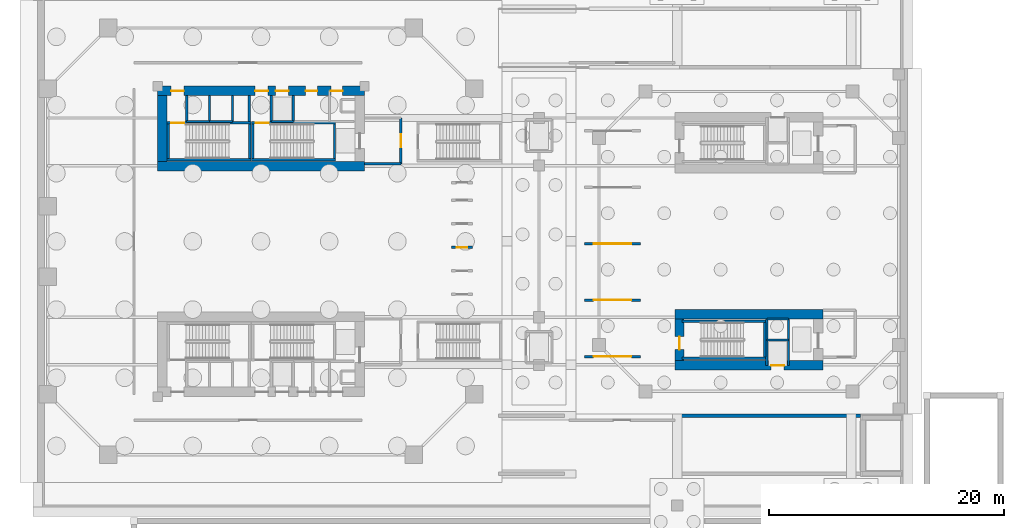
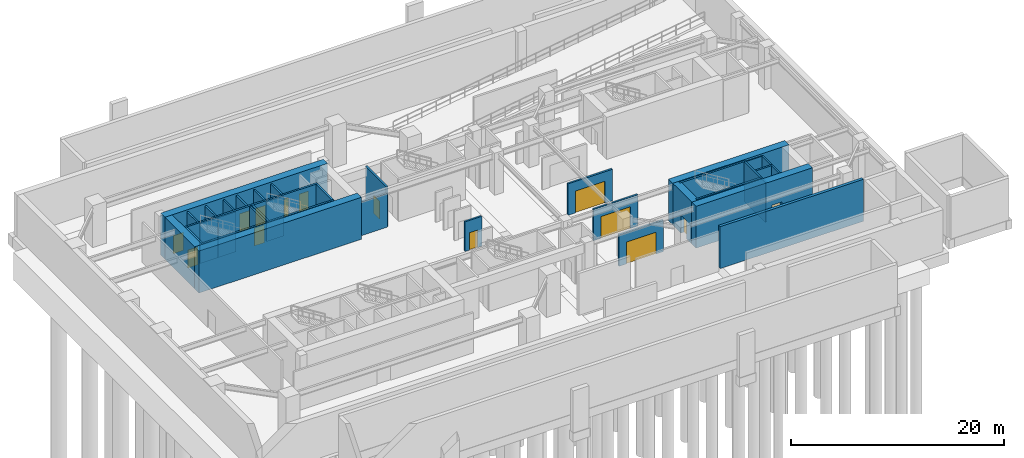
# One storey, part 6 of 13: 37 walls, 14 doors, 14 openings.
"""IFC4 building model written with IfcOpenShell, lengths in metres."""

from ifc_helpers import new_model, si_unit, direction, frame, frame_2d, origin, place, context, subcontext, project, spatial, rectangle, extrude, source, transform, mapped, material, layer, layer_set, type_object, element, fill, save


model = new_model("IFC4")

# Units and contexts
model_context = context("Model", 3, precision=1e-05, world=origin(), true_north=direction((0.0, 1.0)))
body_context = subcontext(model_context, "Body", "Model", "MODEL_VIEW")
ifc_project = project(units=[si_unit("LENGTHUNIT", "METRE"), si_unit("AREAUNIT", "SQUARE_METRE"), si_unit("VOLUMEUNIT", "CUBIC_METRE"), si_unit("PLANEANGLEUNIT", "RADIAN"), si_unit("MASSUNIT", "GRAM", prefix="KILO"), si_unit("THERMODYNAMICTEMPERATUREUNIT", "KELVIN"), si_unit("POWERUNIT", "WATT")], contexts=[model_context])

# Site, building, storey
site_placement = place(None, origin())
site = spatial("IfcSite", under=ifc_project, at=site_placement, CompositionType="ELEMENT")
building_placement = place(site_placement, origin())
building = spatial("IfcBuilding", under=site, at=building_placement, Name="Qiaomeng Ring Towers", CompositionType="ELEMENT")
storey_placement = place(building_placement, frame((0.0, 0.0, -9.60009765625)))
storey = spatial("IfcBuildingStorey", under=building, at=storey_placement, Name="B2", CompositionType="ELEMENT", Elevation=-9.60009765625)

# Wall
ifc_material_1 = material(Name="Autoclaved aerated concrete block", Category="concrete")
ifc_layer_1 = layer(ifc_material_1, 0.199951171875, Name="Autoclaved aerated concrete block")
ifc_layer_set_1 = layer_set([ifc_layer_1], Name="Autoclaved aerated concrete block")
wall_type_1 = type_object("IfcWallType", Name="ARC-WL-PW1", PredefinedType="PARTITIONING", material=ifc_layer_set_1)
wall_1_placement = place(storey_placement, frame((27.800048828125, 29.60009765625, 0.0), z_axis=(0.0, 0.0, 1.0), x_axis=(1.0, 0.0, 0.0)))
element("IfcWall", 1, at=wall_1_placement, inside=storey, type_object=wall_type_1, Name="B2 Interior Wall PW1", PredefinedType="PARTITIONING", context=body_context, shape_type="SweptSolid", body=[
    extrude(rectangle(XDim=3.099853515625, YDim=0.199951171875, at=frame_2d((1.5498046875, 0.0))), origin(), (0.0, 0.0, 1.0), 3.875),
])

# Wall, opening, door
wall_2_placement = place(storey_placement, frame((30.89990234375, 29.60009765625, 0.0), z_axis=(0.0, 0.0, 1.0), x_axis=(0.0, 1.0, 0.0)))
wall_2 = element("IfcWall", 2, at=wall_2_placement, inside=storey, type_object=wall_type_1, Name="B2 Interior Wall PW1", PredefinedType="PARTITIONING", context=body_context, shape_type="SweptSolid", body=[
    extrude(rectangle(XDim=3.89990234375, YDim=0.199951171875, at=frame_2d((1.949951171875, 0.0))), origin(), (0.0, 0.0, 1.0), 4.580078125),
])
opening_1_placement = place(wall_2_placement, frame((1.39990234375, 0.0, 0.0)))
opening_1 = element("IfcOpeningElement", 3, at=opening_1_placement, cuts=wall_2, Name="Opening FD3", PredefinedType="OPENING", context=body_context, shape_type="SweptSolid", body=[
    extrude(rectangle(XDim=1.10009765625, YDim=2.050048828125, at=frame_2d((0.550048828125, 1.02490234375))), frame((0.0, 0.10986328125, 0.0), z_axis=(0.0, -1.0, 0.0), x_axis=(1.0, 0.0, 0.0)), (0.0, 0.0, 1.0), 0.219970703125),
])
ifc_material_2 = material(Name="Galvanised steel", Category="steel")
door_type_1 = type_object("IfcDoorType", Name="ARC-DR-FD3", OperationType="NOTDEFINED", PredefinedType="DOOR", material=ifc_material_2)
shared_shape_1 = source(origin(), body_context, "Body", "SweptSolid", [
    extrude(rectangle(XDim=1.10009765625, YDim=2.050048828125, at=frame_2d((0.550048828125, 1.02490234375))), frame((0.0, 0.02490234375, 0.0), z_axis=(0.0, -1.0, 0.0), x_axis=(1.0, 0.0, 0.0)), (0.0, 0.0, 1.0), 0.050048828125),
])
door_1_placement = place(opening_1_placement, origin())
door_1 = element("IfcDoor", 4, at=door_1_placement, inside=storey, type_object=door_type_1, Name="B2 North FF Lobby Door", OperationType="SINGLE_SWING_LEFT", OverallHeight=2.050048828125, OverallWidth=1.10009765625, PredefinedType="DOOR", context=body_context, shape_type="MappedRepresentation", body=[
    mapped(shared_shape_1, transform((0.0, 0.0, 0.0), x_axis=(1.0, 0.0, 0.0), y_axis=(0.0, 1.0, 0.0), z_axis=(0.0, 0.0, 1.0), scale=1.0)),
])
fill(opening_1, door_1)

# Walls
for number, where, z_axis, x_axis, name in (
    (5, (12.679931640625, 33.18994140625, 0.0), (0.0, 0.0, 1.0), (0.0, 1.0, 0.0), "B2 Interior Wall PW1"),
    (6, (18.0, 33.18994140625, 0.0), (0.0, 0.0, 1.0), (0.0, 1.0, 0.0), "B2 Interior Wall PW1"),
    (7, (19.8798828125, 33.18994140625, 0.0), (0.0, 0.0, 1.0), (0.0, 1.0, 0.0), "B2 Interior Wall PW1"),
):
    element("IfcWall", number, at=place(storey_placement, frame(where, z_axis=z_axis, x_axis=x_axis)), inside=storey, type_object=wall_type_1, Name=name, PredefinedType="PARTITIONING", context=body_context, shape_type="SweptSolid", body=[
        extrude(rectangle(XDim=2.2099609375, YDim=0.199951171875, at=frame_2d((1.10498046875, 0.0))), origin(), (0.0, 0.0, 1.0), 4.580078125),
    ])
wall_3_placement = place(storey_placement, frame((21.75, 33.199951171875, 0.0), z_axis=(0.0, 0.0, 1.0), x_axis=(0.0, 1.0, 0.0)))
element("IfcWall", 8, at=wall_3_placement, inside=storey, type_object=wall_type_1, Name="B2 Interior Wall PW1", PredefinedType="PARTITIONING", context=body_context, shape_type="SweptSolid", body=[
    extrude(rectangle(XDim=2.199951171875, YDim=0.199951171875, at=frame_2d((1.10009765625, 0.0))), origin(), (0.0, 0.0, 1.0), 4.580078125),
])

# Wall, opening, door
wall_4_placement = place(storey_placement, frame((46.5, 18.0, 0.0), z_axis=(0.0, 0.0, 1.0), x_axis=(1.0, 0.0, 0.0)))
wall_4 = element("IfcWall", 9, at=wall_4_placement, inside=storey, type_object=wall_type_1, Name="B2 Plant Equipment Bay Wall 1", PredefinedType="PARTITIONING", context=body_context, shape_type="SweptSolid", body=[
    extrude(rectangle(XDim=4.800048828125, YDim=0.199951171875, at=frame_2d((2.39990234375, 0.0))), origin(), (0.0, 0.0, 1.0), 3.60009765625),
])
opening_2_placement = place(wall_4_placement, frame((0.800048828125, 0.0, 0.0)))
opening_2 = element("IfcOpeningElement", 10, at=opening_2_placement, cuts=wall_4, Name="Opening SH2", PredefinedType="OPENING", context=body_context, shape_type="SweptSolid", body=[
    extrude(rectangle(XDim=3.199951171875, YDim=2.5, at=frame_2d((1.60009765625, 1.25))), frame((0.0, 0.10986328125, 0.0), z_axis=(0.0, -1.0, 0.0), x_axis=(1.0, 0.0, 0.0)), (0.0, 0.0, 1.0), 0.219970703125),
])
door_type_2 = type_object("IfcDoorType", Name="ARC-DR-SH2", OperationType="NOTDEFINED", PredefinedType="GATE", material=ifc_material_2)
shared_shape_2 = source(origin(), body_context, "Body", "SweptSolid", [
    extrude(rectangle(XDim=3.199951171875, YDim=2.5, at=frame_2d((1.60009765625, 1.25))), frame((0.0, 0.02490234375, 0.0), z_axis=(0.0, -1.0, 0.0), x_axis=(1.0, 0.0, 0.0)), (0.0, 0.0, 1.0), 0.050048828125),
])
door_2_placement = place(opening_2_placement, origin())
door_2 = element("IfcDoor", 11, at=door_2_placement, inside=storey, type_object=door_type_2, Name="B2 Service Roller Shutter SH2-1", OperationType="ROLLINGUP", OverallHeight=2.5, OverallWidth=3.199951171875, PredefinedType="GATE", context=body_context, shape_type="MappedRepresentation", body=[
    mapped(shared_shape_2, transform((0.0, 0.0, 0.0), x_axis=(1.0, 0.0, 0.0), y_axis=(0.0, 1.0, 0.0), z_axis=(0.0, 0.0, 1.0), scale=1.0)),
])
fill(opening_2, door_2)

wall_5_placement = place(storey_placement, frame((46.5, 22.800048828125, 0.0), z_axis=(0.0, 0.0, 1.0), x_axis=(1.0, 0.0, 0.0)))
wall_5 = element("IfcWall", 12, at=wall_5_placement, inside=storey, type_object=wall_type_1, Name="B2 Plant Equipment Bay Wall 2", PredefinedType="PARTITIONING", context=body_context, shape_type="SweptSolid", body=[
    extrude(rectangle(XDim=4.800048828125, YDim=0.199951171875, at=frame_2d((2.39990234375, 0.0))), origin(), (0.0, 0.0, 1.0), 3.60009765625),
])
opening_3_placement = place(wall_5_placement, frame((0.800048828125, 0.0, 0.0)))
opening_3 = element("IfcOpeningElement", 13, at=opening_3_placement, cuts=wall_5, Name="Opening SH2", PredefinedType="OPENING", context=body_context, shape_type="SweptSolid", body=[
    extrude(rectangle(XDim=3.199951171875, YDim=2.5, at=frame_2d((1.60009765625, 1.25))), frame((0.0, 0.10986328125, 0.0), z_axis=(0.0, -1.0, 0.0), x_axis=(1.0, 0.0, 0.0)), (0.0, 0.0, 1.0), 0.219970703125),
])
door_3_placement = place(opening_3_placement, origin())
door_3 = element("IfcDoor", 14, at=door_3_placement, inside=storey, type_object=door_type_2, Name="B2 Service Roller Shutter SH2-2", OperationType="ROLLINGUP", OverallHeight=2.5, OverallWidth=3.199951171875, PredefinedType="GATE", context=body_context, shape_type="MappedRepresentation", body=[
    mapped(shared_shape_2, transform((0.0, 0.0, 0.0), x_axis=(1.0, 0.0, 0.0), y_axis=(0.0, 1.0, 0.0), z_axis=(0.0, 0.0, 1.0), scale=1.0)),
])
fill(opening_3, door_3)

wall_6_placement = place(storey_placement, frame((46.5, 13.199951171875, 0.0), z_axis=(0.0, 0.0, 1.0), x_axis=(1.0, 0.0, 0.0)))
wall_6 = element("IfcWall", 15, at=wall_6_placement, inside=storey, type_object=wall_type_1, Name="B2 Plant Equipment Bay Wall 5", PredefinedType="PARTITIONING", context=body_context, shape_type="SweptSolid", body=[
    extrude(rectangle(XDim=4.800048828125, YDim=0.199951171875, at=frame_2d((2.39990234375, 0.0))), origin(), (0.0, 0.0, 1.0), 3.60009765625),
])
opening_4_placement = place(wall_6_placement, frame((0.800048828125, 0.0, 0.0)))
opening_4 = element("IfcOpeningElement", 16, at=opening_4_placement, cuts=wall_6, Name="Opening SH2", PredefinedType="OPENING", context=body_context, shape_type="SweptSolid", body=[
    extrude(rectangle(XDim=3.199951171875, YDim=2.5, at=frame_2d((1.60009765625, 1.25))), frame((0.0, 0.10986328125, 0.0), z_axis=(0.0, -1.0, 0.0), x_axis=(1.0, 0.0, 0.0)), (0.0, 0.0, 1.0), 0.219970703125),
])
door_4_placement = place(opening_4_placement, origin())
door_4 = element("IfcDoor", 17, at=door_4_placement, inside=storey, type_object=door_type_2, Name="B2 Service Roller Shutter SH2-5", OperationType="ROLLINGUP", OverallHeight=2.5, OverallWidth=3.199951171875, PredefinedType="GATE", context=body_context, shape_type="MappedRepresentation", body=[
    mapped(shared_shape_2, transform((0.0, 0.0, 0.0), x_axis=(1.0, 0.0, 0.0), y_axis=(0.0, 1.0, 0.0), z_axis=(0.0, 0.0, 1.0), scale=1.0)),
])
fill(opening_4, door_4)

wall_7_placement = place(storey_placement, frame((35.199951171875, 22.5, 0.0), z_axis=(0.0, 0.0, 1.0), x_axis=(1.0, 0.0, 0.0)))
wall_7 = element("IfcWall", 18, at=wall_7_placement, inside=storey, type_object=wall_type_1, Name="B2 Pipe Trench Access Wall 3", PredefinedType="PARTITIONING", context=body_context, shape_type="SweptSolid", body=[
    extrude(rectangle(XDim=1.800048828125, YDim=0.199951171875, at=frame_2d((0.89990234375, 0.0))), origin(), (0.0, 0.0, 1.0), 3.400146484375),
])
opening_5_placement = place(wall_7_placement, frame((0.449951171875, 0.0, 0.0)))
opening_5 = element("IfcOpeningElement", 19, at=opening_5_placement, cuts=wall_7, Name="Opening TD1", PredefinedType="OPENING", context=body_context, shape_type="SweptSolid", body=[
    extrude(rectangle(XDim=0.89990234375, YDim=2.0, at=frame_2d((0.449951171875, 1.0))), frame((0.0, 0.10986328125, 0.0), z_axis=(0.0, -1.0, 0.0), x_axis=(1.0, 0.0, 0.0)), (0.0, 0.0, 1.0), 0.219970703125),
])
door_type_3 = type_object("IfcDoorType", Name="ARC-DR-TD1", OperationType="NOTDEFINED", PredefinedType="TRAPDOOR", material=ifc_material_2)
shared_shape_3 = source(origin(), body_context, "Body", "SweptSolid", [
    extrude(rectangle(XDim=0.89990234375, YDim=2.0, at=frame_2d((0.449951171875, 1.0))), frame((0.0, 0.02490234375, 0.0), z_axis=(0.0, -1.0, 0.0), x_axis=(1.0, 0.0, 0.0)), (0.0, 0.0, 1.0), 0.050048828125),
])
door_5_placement = place(opening_5_placement, origin())
door_5 = element("IfcDoor", 20, at=door_5_placement, inside=storey, type_object=door_type_3, Name="B2 Riser Access Trapdoor TD1-3", OperationType="SINGLE_SWING_LEFT", OverallHeight=2.0, OverallWidth=0.89990234375, PredefinedType="TRAPDOOR", context=body_context, shape_type="MappedRepresentation", body=[
    mapped(shared_shape_3, transform((0.0, 0.0, 0.0), x_axis=(1.0, 0.0, 0.0), y_axis=(0.0, 1.0, 0.0), z_axis=(0.0, 0.0, 1.0), scale=1.0)),
])
fill(opening_5, door_5)

# Walls
ifc_material_3 = material(Name="Concrete C40", Category="concrete")
ifc_layer_2 = layer(ifc_material_3, 0.39990234375, Name="Concrete C40")
ifc_layer_set_2 = layer_set([ifc_layer_2], Name="Concrete C40")
wall_type_2 = type_object("IfcWallType", Name="STR-WL-BW2", PredefinedType="SOLIDWALL", material=ifc_layer_set_2)
wall_8_placement = place(storey_placement, frame((54.5, 8.179931640625, 0.0), z_axis=(0.0, 0.0, 1.0), x_axis=(1.0, 0.0, 0.0)))
element("IfcWall", 21, at=wall_8_placement, inside=storey, type_object=wall_type_2, Name="B2 Vehicle Ramp R1 East Support Wall N", PredefinedType="SOLIDWALL", context=body_context, shape_type="SweptSolid", body=[
    extrude(rectangle(XDim=15.5, YDim=0.300048828125, at=frame_2d((7.75, 0.0))), origin(), (0.0, 0.0, 1.0), 4.800048828125),
])
ifc_layer_3 = layer(ifc_material_3, 0.199951171875, Name="Concrete C40")
ifc_layer_set_3 = layer_set([ifc_layer_3], Name="Concrete C40")
wall_type_3 = type_object("IfcWallType", Name="STR-WL-STSHAFT", PredefinedType="SHEAR", material=ifc_layer_set_3)
wall_9_placement = place(storey_placement, frame((12.679931640625, 33.199951171875, 0.0), z_axis=(0.0, 0.0, 1.0), x_axis=(1.0, 0.0, 0.0)))
element("IfcWall", 22, at=wall_9_placement, inside=storey, type_object=wall_type_3, Name="B2 Lift LP5 Shaft Back Wall", PredefinedType="SHEAR", context=body_context, shape_type="SweptSolid", body=[
    extrude(rectangle(XDim=1.940185546875, YDim=0.179931640625, at=frame_2d((0.97021484375, 0.0))), origin(), (0.0, 0.0, 1.0), 4.580078125),
])
wall_10_placement = place(storey_placement, frame((14.6201171875, 33.199951171875, 0.0), z_axis=(0.0, 0.0, 1.0), x_axis=(0.0, 1.0, 0.0)))
element("IfcWall", 23, at=wall_10_placement, inside=storey, type_object=wall_type_3, Name="B2 Lift LP5-LP3 Shaft Divider Wall", PredefinedType="SHEAR", context=body_context, shape_type="SweptSolid", body=[
    extrude(rectangle(XDim=2.199951171875, YDim=0.179931640625, at=frame_2d((1.10009765625, 0.0))), origin(), (0.0, 0.0, 1.0), 4.580078125),
])
wall_11_placement = place(storey_placement, frame((14.6201171875, 33.199951171875, 0.0), z_axis=(0.0, 0.0, 1.0), x_axis=(1.0, 0.0, 0.0)))
element("IfcWall", 24, at=wall_11_placement, inside=storey, type_object=wall_type_3, Name="B2 Lift LP3 Shaft Back Wall", PredefinedType="SHEAR", context=body_context, shape_type="SweptSolid", body=[
    extrude(rectangle(XDim=1.9599609375, YDim=0.179931640625, at=frame_2d((0.97998046875, 0.0))), origin(), (0.0, 0.0, 1.0), 4.580078125),
])
wall_12_placement = place(storey_placement, frame((16.580078125, 33.199951171875, 0.0), z_axis=(0.0, 0.0, 1.0), x_axis=(0.0, 1.0, 0.0)))
element("IfcWall", 25, at=wall_12_placement, inside=storey, type_object=wall_type_3, Name="B2 Lift LP3 East Shaft Wall", PredefinedType="SHEAR", context=body_context, shape_type="SweptSolid", body=[
    extrude(rectangle(XDim=2.199951171875, YDim=0.179931640625, at=frame_2d((1.10009765625, 0.0))), origin(), (0.0, 0.0, 1.0), 4.580078125),
])
wall_13_placement = place(storey_placement, frame((19.8798828125, 33.199951171875, 0.0), z_axis=(0.0, 0.0, 1.0), x_axis=(1.0, 0.0, 0.0)))
element("IfcWall", 26, at=wall_13_placement, inside=storey, type_object=wall_type_3, Name="B2 Lift LP1 Shaft Back Wall", PredefinedType="SHEAR", context=body_context, shape_type="SweptSolid", body=[
    extrude(rectangle(XDim=1.8701171875, YDim=0.179931640625, at=frame_2d((0.93505859375, 0.0))), origin(), (0.0, 0.0, 1.0), 4.580078125),
])
for number, where, z_axis, x_axis, name in (
    (27, (62.02001953125, 12.449951171875, 0.0), (0.0, 0.0, 1.0), (0.0, 1.0, 0.0), "B2 Companion Lift Shaft West Wall S"),
    (28, (63.8798828125, 12.449951171875, 0.0), (0.0, 0.0, 1.0), (0.0, 1.0, 0.0), "B2 Companion Lift Shaft East Wall S"),
):
    element("IfcWall", number, at=place(storey_placement, frame(where, z_axis=z_axis, x_axis=x_axis)), inside=storey, type_object=wall_type_3, Name=name, PredefinedType="SHEAR", context=body_context, shape_type="SweptSolid", body=[
        extrude(rectangle(XDim=3.949951171875, YDim=0.179931640625, at=frame_2d((1.97509765625, 0.0))), origin(), (0.0, 0.0, 1.0), 4.580078125),
    ])
for number, where, z_axis, x_axis, name in (
    (29, (62.02001953125, 14.6201171875, 0.0), (0.0, 0.0, 1.0), (1.0, 0.0, 0.0), "B2 Companion Lift Shaft Divider Wall S"),
    (30, (62.02001953125, 16.39990234375, 0.0), (0.0, 0.0, 1.0), (1.0, 0.0, 0.0), "B2 Companion Riser Shaft Back Wall S"),
):
    element("IfcWall", number, at=place(storey_placement, frame(where, z_axis=z_axis, x_axis=x_axis)), inside=storey, type_object=wall_type_3, Name=name, PredefinedType="SHEAR", context=body_context, shape_type="SweptSolid", body=[
        extrude(rectangle(XDim=1.85986328125, YDim=0.179931640625, at=frame_2d((0.929931640625, 0.0))), origin(), (0.0, 0.0, 1.0), 4.580078125),
    ])
wall_14_placement = place(storey_placement, frame((11.0, 29.949951171875, 0.0), z_axis=(0.0, 0.0, 1.0), x_axis=(1.0, 0.0, 0.0)))
element("IfcWall", 31, at=wall_14_placement, inside=storey, type_object=wall_type_3, Name="B2 Stair ST1 South Shaft Shear Wall", PredefinedType="SHEAR", context=body_context, shape_type="SweptSolid", body=[
    extrude(rectangle(XDim=7.14990234375, YDim=0.199951171875, at=frame_2d((3.574951171875, 0.0))), origin(), (0.0, 0.0, 1.0), 4.800048828125),
])

# Wall, opening, door
wall_15_placement = place(storey_placement, frame((11.0, 33.090087890625, 0.0), z_axis=(0.0, 0.0, 1.0), x_axis=(1.0, 0.0, 0.0)))
wall_15 = element("IfcWall", 32, at=wall_15_placement, inside=storey, type_object=wall_type_3, Name="B2 Stair ST1 North Shaft Shear Wall", PredefinedType="SHEAR", context=body_context, shape_type="SweptSolid", body=[
    extrude(rectangle(XDim=7.14990234375, YDim=0.199951171875, at=frame_2d((3.574951171875, 0.0))), origin(), (0.0, 0.0, 1.0), 4.800048828125),
])
opening_6_placement = place(wall_15_placement, frame((0.35009765625, 0.0, 0.0)))
opening_6 = element("IfcOpeningElement", 33, at=opening_6_placement, cuts=wall_15, Name="Opening FD3", PredefinedType="OPENING", context=body_context, shape_type="SweptSolid", body=[
    extrude(rectangle(XDim=1.10009765625, YDim=2.050048828125, at=frame_2d((0.550048828125, 1.02490234375))), frame((0.0, 0.10986328125, 0.0), z_axis=(0.0, -1.0, 0.0), x_axis=(1.0, 0.0, 0.0)), (0.0, 0.0, 1.0), 0.219970703125),
])
door_6_placement = place(opening_6_placement, origin())
door_6 = element("IfcDoor", 34, at=door_6_placement, inside=storey, type_object=door_type_1, Name="B2 Stair ST1 Exit Door", OperationType="SINGLE_SWING_RIGHT", OverallHeight=2.050048828125, OverallWidth=1.10009765625, PredefinedType="DOOR", context=body_context, shape_type="MappedRepresentation", body=[
    mapped(shared_shape_1, transform((0.0, 0.0, 0.0), x_axis=(1.0, 0.0, 0.0), y_axis=(0.0, 1.0, 0.0), z_axis=(0.0, 0.0, 1.0), scale=1.0)),
])
fill(opening_6, door_6)

# Walls
for number, where, z_axis, x_axis, name in (
    (35, (11.10009765625, 30.050048828125, 0.0), (0.0, 0.0, 1.0), (0.0, 1.0, 0.0), "B2 Stair ST1 West Shaft Shear Wall"),
    (36, (18.050048828125, 30.050048828125, 0.0), (0.0, 0.0, 1.0), (0.0, 1.0, 0.0), "B2 Stair ST1 East Shaft Shear Wall"),
):
    element("IfcWall", number, at=place(storey_placement, frame(where, z_axis=z_axis, x_axis=x_axis)), inside=storey, type_object=wall_type_3, Name=name, PredefinedType="SHEAR", context=body_context, shape_type="SweptSolid", body=[
        extrude(rectangle(XDim=2.93994140625, YDim=0.199951171875, at=frame_2d((1.469970703125, 0.0))), origin(), (0.0, 0.0, 1.0), 4.800048828125),
    ])
wall_16_placement = place(storey_placement, frame((18.199951171875, 29.949951171875, 0.0), z_axis=(0.0, 0.0, 1.0), x_axis=(1.0, 0.0, 0.0)))
element("IfcWall", 37, at=wall_16_placement, inside=storey, type_object=wall_type_3, Name="B2 Stair ST2 South Shaft Shear Wall", PredefinedType="SHEAR", context=body_context, shape_type="SweptSolid", body=[
    extrude(rectangle(XDim=7.150146484375, YDim=0.199951171875, at=frame_2d((3.5751953125, 0.0))), origin(), (0.0, 0.0, 1.0), 4.800048828125),
])

# Wall, opening, door
wall_17_placement = place(storey_placement, frame((18.199951171875, 33.090087890625, 0.0), z_axis=(0.0, 0.0, 1.0), x_axis=(1.0, 0.0, 0.0)))
wall_17 = element("IfcWall", 38, at=wall_17_placement, inside=storey, type_object=wall_type_3, Name="B2 Stair ST2 North Shaft Shear Wall", PredefinedType="SHEAR", context=body_context, shape_type="SweptSolid", body=[
    extrude(rectangle(XDim=7.150146484375, YDim=0.199951171875, at=frame_2d((3.5751953125, 0.0))), origin(), (0.0, 0.0, 1.0), 4.800048828125),
])
opening_7_placement = place(wall_17_placement, frame((0.35009765625, 0.0, 0.0)))
opening_7 = element("IfcOpeningElement", 39, at=opening_7_placement, cuts=wall_17, Name="Opening FD3", PredefinedType="OPENING", context=body_context, shape_type="SweptSolid", body=[
    extrude(rectangle(XDim=1.10009765625, YDim=2.050048828125, at=frame_2d((0.550048828125, 1.02490234375))), frame((0.0, 0.10986328125, 0.0), z_axis=(0.0, -1.0, 0.0), x_axis=(1.0, 0.0, 0.0)), (0.0, 0.0, 1.0), 0.219970703125),
])
door_7_placement = place(opening_7_placement, origin())
door_7 = element("IfcDoor", 40, at=door_7_placement, inside=storey, type_object=door_type_1, Name="B2 Stair ST2 Exit Door", OperationType="SINGLE_SWING_RIGHT", OverallHeight=2.050048828125, OverallWidth=1.10009765625, PredefinedType="DOOR", context=body_context, shape_type="MappedRepresentation", body=[
    mapped(shared_shape_1, transform((0.0, 0.0, 0.0), x_axis=(1.0, 0.0, 0.0), y_axis=(0.0, 1.0, 0.0), z_axis=(0.0, 0.0, 1.0), scale=1.0)),
])
fill(opening_7, door_7)

# Walls
for number, where, z_axis, x_axis, name in (
    (41, (18.300048828125, 30.050048828125, 0.0), (0.0, 0.0, 1.0), (0.0, 1.0, 0.0), "B2 Stair ST2 West Shaft Shear Wall"),
    (42, (25.25, 30.050048828125, 0.0), (0.0, 0.0, 1.0), (0.0, 1.0, 0.0), "B2 Stair ST2 East Shaft Shear Wall"),
):
    element("IfcWall", number, at=place(storey_placement, frame(where, z_axis=z_axis, x_axis=x_axis)), inside=storey, type_object=wall_type_3, Name=name, PredefinedType="SHEAR", context=body_context, shape_type="SweptSolid", body=[
        extrude(rectangle(XDim=2.93994140625, YDim=0.199951171875, at=frame_2d((1.469970703125, 0.0))), origin(), (0.0, 0.0, 1.0), 4.800048828125),
    ])
for number, where, z_axis, x_axis, name in (
    (43, (54.800048828125, 13.06005859375, 0.0), (0.0, 0.0, 1.0), (1.0, 0.0, 0.0), "B2 Stair ST6 South Shaft Shear Wall"),
    (44, (54.800048828125, 16.199951171875, 0.0), (0.0, 0.0, 1.0), (1.0, 0.0, 0.0), "B2 Stair ST6 North Shaft Shear Wall"),
):
    element("IfcWall", number, at=place(storey_placement, frame(where, z_axis=z_axis, x_axis=x_axis)), inside=storey, type_object=wall_type_3, Name=name, PredefinedType="SHEAR", context=body_context, shape_type="SweptSolid", body=[
        extrude(rectangle(XDim=7.14990234375, YDim=0.199951171875, at=frame_2d((3.574951171875, 0.0))), origin(), (0.0, 0.0, 1.0), 4.800048828125),
    ])
wall_18_placement = place(storey_placement, frame((61.85009765625, 13.159912109375, 0.0), z_axis=(0.0, 0.0, 1.0), x_axis=(0.0, 1.0, 0.0)))
element("IfcWall", 45, at=wall_18_placement, inside=storey, type_object=wall_type_3, Name="B2 Stair ST6 East Shaft Shear Wall", PredefinedType="SHEAR", context=body_context, shape_type="SweptSolid", body=[
    extrude(rectangle(XDim=2.940185546875, YDim=0.199951171875, at=frame_2d((1.47021484375, 0.0))), origin(), (0.0, 0.0, 1.0), 4.800048828125),
])
ifc_material_4 = material(Name="Concrete C60", Category="concrete")
ifc_layer_4 = layer(ifc_material_4, 0.800048828125, Name="Concrete C60")
ifc_layer_set_4 = layer_set([ifc_layer_4], Name="Concrete C60")
wall_type_4 = type_object("IfcWallType", Name="STR-WL-SW1", PredefinedType="SHEAR", material=ifc_layer_set_4)
wall_19_placement = place(storey_placement, frame((10.199951171875, 29.39990234375, 0.0), z_axis=(0.0, 0.0, 1.0), x_axis=(1.0, 0.0, 0.0)))
element("IfcWall", 46, at=wall_19_placement, inside=storey, type_object=wall_type_4, Name="B2 T1NC south core shear wall", PredefinedType="SHEAR", context=body_context, shape_type="SweptSolid", body=[
    extrude(rectangle(XDim=17.60009765625, YDim=0.800048828125, at=frame_2d((8.800048828125, 0.0))), origin(), (0.0, 0.0, 1.0), 4.800048828125),
])

# Wall, openings, doors
wall_20_placement = place(storey_placement, frame((10.199951171875, 35.800048828125, 0.0), z_axis=(0.0, 0.0, 1.0), x_axis=(1.0, 0.0, 0.0)))
wall_20 = element("IfcWall", 47, at=wall_20_placement, inside=storey, type_object=wall_type_4, Name="B2 T1NC north core shear wall", PredefinedType="SHEAR", context=body_context, shape_type="SweptSolid", body=[
    extrude(rectangle(XDim=17.60009765625, YDim=0.800048828125, at=frame_2d((8.800048828125, 0.0))), origin(), (0.0, 0.0, 1.0), 4.800048828125),
])
opening_8_placement = place(wall_20_placement, frame((1.14990234375, 0.0, 0.0)))
opening_8 = element("IfcOpeningElement", 48, at=opening_8_placement, cuts=wall_20, Name="Opening FD3", PredefinedType="OPENING", context=body_context, shape_type="SweptSolid", body=[
    extrude(rectangle(XDim=1.10009765625, YDim=2.050048828125, at=frame_2d((0.550048828125, 1.02490234375))), frame((0.0, 0.409912109375, 0.0), z_axis=(0.0, -1.0, 0.0), x_axis=(1.0, 0.0, 0.0)), (0.0, 0.0, 1.0), 0.820068359375),
])
opening_9_placement = place(wall_20_placement, frame((8.300048828125, 0.0, 0.0)))
opening_9 = element("IfcOpeningElement", 49, at=opening_9_placement, cuts=wall_20, Name="Opening FD3", PredefinedType="OPENING", context=body_context, shape_type="SweptSolid", body=[
    extrude(rectangle(XDim=1.10009765625, YDim=2.050048828125, at=frame_2d((0.550048828125, 1.02490234375))), frame((0.0, 0.409912109375, 0.0), z_axis=(0.0, -1.0, 0.0), x_axis=(1.0, 0.0, 0.0)), (0.0, 0.0, 1.0), 0.820068359375),
])
opening_10_placement = place(wall_20_placement, frame((10.050048828125, 0.0, 0.0)))
opening_10 = element("IfcOpeningElement", 50, at=opening_10_placement, cuts=wall_20, Name="Opening LD1", PredefinedType="OPENING", context=body_context, shape_type="SweptSolid", body=[
    extrude(rectangle(XDim=1.10009765625, YDim=2.050048828125, at=frame_2d((0.550048828125, 1.02490234375))), frame((0.0, 0.409912109375, 0.0), z_axis=(0.0, -1.0, 0.0), x_axis=(1.0, 0.0, 0.0)), (0.0, 0.0, 1.0), 0.820068359375),
])
opening_11_placement = place(wall_20_placement, frame((14.739990234375, 0.0, 0.0)))
opening_11 = element("IfcOpeningElement", 51, at=opening_11_placement, cuts=wall_20, Name="Opening FD1", PredefinedType="OPENING", context=body_context, shape_type="SweptSolid", body=[
    extrude(rectangle(XDim=1.0, YDim=2.050048828125, at=frame_2d((0.5, 1.02490234375))), frame((0.0, 0.409912109375, 0.0), z_axis=(0.0, -1.0, 0.0), x_axis=(1.0, 0.0, 0.0)), (0.0, 0.0, 1.0), 0.820068359375),
])
opening_12_placement = place(wall_20_placement, frame((12.5849609375, 0.0, 0.0)))
opening_12 = element("IfcOpeningElement", 52, at=opening_12_placement, cuts=wall_20, Name="Opening FD1", PredefinedType="OPENING", context=body_context, shape_type="SweptSolid", body=[
    extrude(rectangle(XDim=1.0, YDim=2.050048828125, at=frame_2d((0.5, 1.02490234375))), frame((0.0, 0.409912109375, 0.0), z_axis=(0.0, -1.0, 0.0), x_axis=(1.0, 0.0, 0.0)), (0.0, 0.0, 1.0), 0.820068359375),
])
door_8_placement = place(opening_8_placement, origin())
door_8 = element("IfcDoor", 53, at=door_8_placement, inside=storey, type_object=door_type_1, Name="B2 Stair ST1 Lobby Door", OperationType="SINGLE_SWING_LEFT", OverallHeight=2.050048828125, OverallWidth=1.10009765625, PredefinedType="DOOR", context=body_context, shape_type="MappedRepresentation", body=[
    mapped(shared_shape_1, transform((0.0, 0.0, 0.0), x_axis=(1.0, 0.0, 0.0), y_axis=(0.0, 1.0, 0.0), z_axis=(0.0, 0.0, 1.0), scale=1.0)),
])
fill(opening_8, door_8)
door_9_placement = place(opening_9_placement, origin())
door_9 = element("IfcDoor", 54, at=door_9_placement, inside=storey, type_object=door_type_1, Name="B2 Stair ST2 Lobby Door", OperationType="SINGLE_SWING_LEFT", OverallHeight=2.050048828125, OverallWidth=1.10009765625, PredefinedType="DOOR", context=body_context, shape_type="MappedRepresentation", body=[
    mapped(shared_shape_1, transform((0.0, 0.0, 0.0), x_axis=(1.0, 0.0, 0.0), y_axis=(0.0, 1.0, 0.0), z_axis=(0.0, 0.0, 1.0), scale=1.0)),
])
fill(opening_9, door_9)
ifc_material_5 = material(Name="Stainless steel 316", Category="steel")
door_type_4 = type_object("IfcDoorType", Name="ARC-DR-LD1", OperationType="NOTDEFINED", PredefinedType="DOOR", material=ifc_material_5)
door_10_placement = place(opening_10_placement, origin())
door_10 = element("IfcDoor", 55, at=door_10_placement, inside=storey, type_object=door_type_4, Name="B2 Low-Zone Lift LP1 Landing Door", OperationType="SLIDING_TO_LEFT", OverallHeight=2.050048828125, OverallWidth=1.10009765625, PredefinedType="DOOR", context=body_context, shape_type="MappedRepresentation", body=[
    mapped(shared_shape_1, transform((0.0, 0.0, 0.0), x_axis=(1.0, 0.0, 0.0), y_axis=(0.0, 1.0, 0.0), z_axis=(0.0, 0.0, 1.0), scale=1.0)),
])
fill(opening_10, door_10)
door_type_5 = type_object("IfcDoorType", Name="ARC-DR-FD1", OperationType="NOTDEFINED", PredefinedType="DOOR", material=ifc_material_2)
shared_shape_4 = source(origin(), body_context, "Body", "SweptSolid", [
    extrude(rectangle(XDim=1.0, YDim=2.050048828125, at=frame_2d((0.5, 1.02490234375))), frame((0.0, 0.02490234375, 0.0), z_axis=(0.0, -1.0, 0.0), x_axis=(1.0, 0.0, 0.0)), (0.0, 0.0, 1.0), 0.050048828125),
])
door_11_placement = place(opening_11_placement, origin())
door_11 = element("IfcDoor", 56, at=door_11_placement, inside=storey, type_object=door_type_5, Name="B2 North Electrical Riser Door", OperationType="SINGLE_SWING_LEFT", OverallHeight=2.050048828125, OverallWidth=1.0, PredefinedType="DOOR", context=body_context, shape_type="MappedRepresentation", body=[
    mapped(shared_shape_4, transform((0.0, 0.0, 0.0), x_axis=(1.0, 0.0, 0.0), y_axis=(0.0, 1.0, 0.0), z_axis=(0.0, 0.0, 1.0), scale=1.0)),
])
fill(opening_11, door_11)
door_12_placement = place(opening_12_placement, origin())
door_12 = element("IfcDoor", 57, at=door_12_placement, inside=storey, type_object=door_type_5, Name="B2 Core AHU Plant Room Door", OperationType="SINGLE_SWING_LEFT", OverallHeight=2.050048828125, OverallWidth=1.0, PredefinedType="DOOR", context=body_context, shape_type="MappedRepresentation", body=[
    mapped(shared_shape_4, transform((0.0, 0.0, 0.0), x_axis=(1.0, 0.0, 0.0), y_axis=(0.0, 1.0, 0.0), z_axis=(0.0, 0.0, 1.0), scale=1.0)),
])
fill(opening_12, door_12)

# Wall
wall_21_placement = place(storey_placement, frame((10.60009765625, 29.800048828125, 0.0), z_axis=(0.0, 0.0, 1.0), x_axis=(0.0, 1.0, 0.0)))
element("IfcWall", 58, at=wall_21_placement, inside=storey, type_object=wall_type_4, Name="B2 T1NC west core shear wall", PredefinedType="SHEAR", context=body_context, shape_type="SweptSolid", body=[
    extrude(rectangle(XDim=5.599853515625, YDim=0.800048828125, at=frame_2d((2.7998046875, 0.0))), origin(), (0.0, 0.0, 1.0), 4.800048828125),
])

# Wall, opening, door
wall_22_placement = place(storey_placement, frame((54.199951171875, 12.449951171875, 0.0), z_axis=(0.0, 0.0, 1.0), x_axis=(1.0, 0.0, 0.0)))
wall_22 = element("IfcWall", 59, at=wall_22_placement, inside=storey, type_object=wall_type_4, Name="B2 T2SC south core shear wall", PredefinedType="SHEAR", context=body_context, shape_type="SweptSolid", body=[
    extrude(rectangle(XDim=12.60009765625, YDim=0.800048828125, at=frame_2d((6.300048828125, 0.0))), origin(), (0.0, 0.0, 1.0), 4.800048828125),
])
opening_13_placement = place(wall_22_placement, frame((8.199951171875, 0.0, 0.0)))
opening_13 = element("IfcOpeningElement", 60, at=opening_13_placement, cuts=wall_22, Name="Opening LD1", PredefinedType="OPENING", context=body_context, shape_type="SweptSolid", body=[
    extrude(rectangle(XDim=1.10009765625, YDim=2.050048828125, at=frame_2d((0.550048828125, 1.02490234375))), frame((0.0, 0.409912109375, 0.0), z_axis=(0.0, -1.0, 0.0), x_axis=(1.0, 0.0, 0.0)), (0.0, 0.0, 1.0), 0.820068359375),
])
door_13_placement = place(opening_13_placement, origin())
door_13 = element("IfcDoor", 61, at=door_13_placement, inside=storey, type_object=door_type_4, Name="B2 Companion Lift LP8 Landing Door", OperationType="SLIDING_TO_RIGHT", OverallHeight=2.050048828125, OverallWidth=1.10009765625, PredefinedType="DOOR", context=body_context, shape_type="MappedRepresentation", body=[
    mapped(shared_shape_1, transform((0.0, 0.0, 0.0), x_axis=(1.0, 0.0, 0.0), y_axis=(0.0, 1.0, 0.0), z_axis=(0.0, 0.0, 1.0), scale=1.0)),
])
fill(opening_13, door_13)

# Wall
wall_23_placement = place(storey_placement, frame((54.199951171875, 16.800048828125, 0.0), z_axis=(0.0, 0.0, 1.0), x_axis=(1.0, 0.0, 0.0)))
element("IfcWall", 62, at=wall_23_placement, inside=storey, type_object=wall_type_4, Name="B2 T2SC north core shear wall", PredefinedType="SHEAR", context=body_context, shape_type="SweptSolid", body=[
    extrude(rectangle(XDim=12.60009765625, YDim=0.800048828125, at=frame_2d((6.300048828125, 0.0))), origin(), (0.0, 0.0, 1.0), 4.800048828125),
])

# Wall, opening, door
wall_24_placement = place(storey_placement, frame((54.60009765625, 12.85009765625, 0.0), z_axis=(0.0, 0.0, 1.0), x_axis=(0.0, 1.0, 0.0)))
wall_24 = element("IfcWall", 63, at=wall_24_placement, inside=storey, type_object=wall_type_4, Name="B2 T2SC west core shear wall", PredefinedType="SHEAR", context=body_context, shape_type="SweptSolid", body=[
    extrude(rectangle(XDim=3.5498046875, YDim=0.800048828125, at=frame_2d((1.77490234375, 0.0))), origin(), (0.0, 0.0, 1.0), 4.800048828125),
])
opening_14_placement = place(wall_24_placement, frame((0.949951171875, 0.0, 0.0)))
opening_14 = element("IfcOpeningElement", 64, at=opening_14_placement, cuts=wall_24, Name="Opening FD3", PredefinedType="OPENING", context=body_context, shape_type="SweptSolid", body=[
    extrude(rectangle(XDim=1.10009765625, YDim=2.050048828125, at=frame_2d((0.550048828125, 1.02490234375))), frame((0.0, 0.409912109375, 0.0), z_axis=(0.0, -1.0, 0.0), x_axis=(1.0, 0.0, 0.0)), (0.0, 0.0, 1.0), 0.820068359375),
])
door_14_placement = place(opening_14_placement, origin())
door_14 = element("IfcDoor", 65, at=door_14_placement, inside=storey, type_object=door_type_1, Name="B2 Stair ST6 Exit Door", OperationType="SINGLE_SWING_LEFT", OverallHeight=2.050048828125, OverallWidth=1.10009765625, PredefinedType="DOOR", context=body_context, shape_type="MappedRepresentation", body=[
    mapped(shared_shape_1, transform((0.0, 0.0, 0.0), x_axis=(1.0, 0.0, 0.0), y_axis=(0.0, 1.0, 0.0), z_axis=(0.0, 0.0, 1.0), scale=1.0)),
])
fill(opening_14, door_14)

save(model, "model.ifc")
